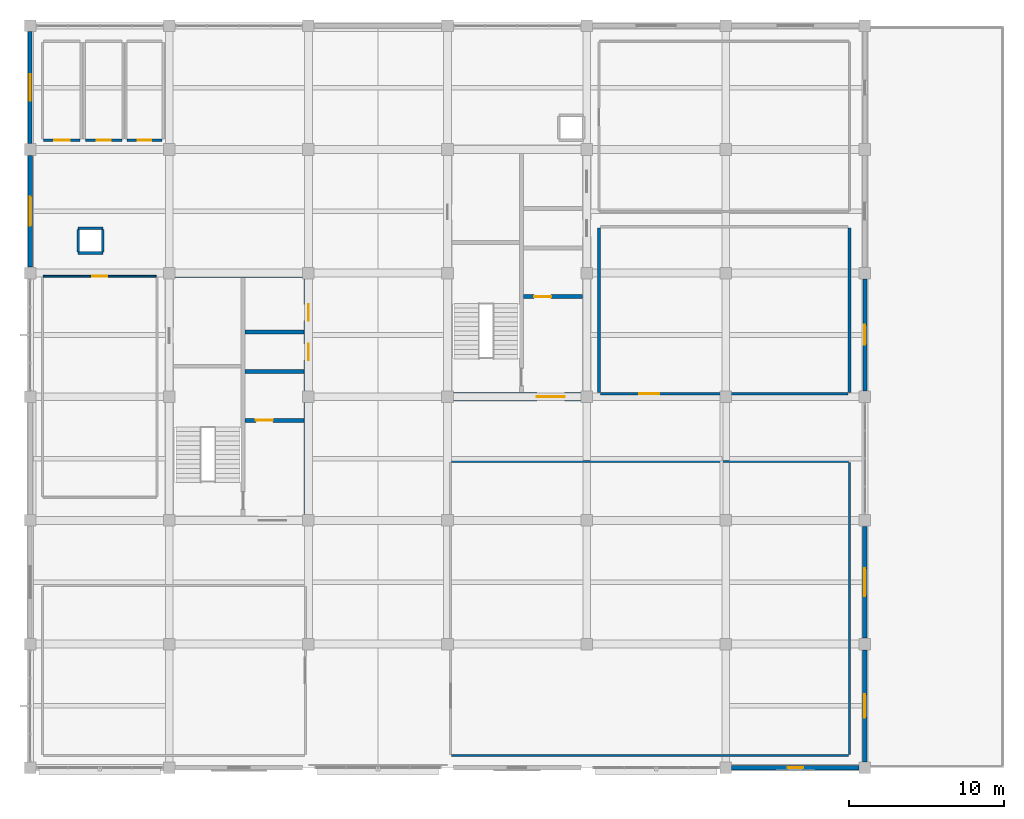
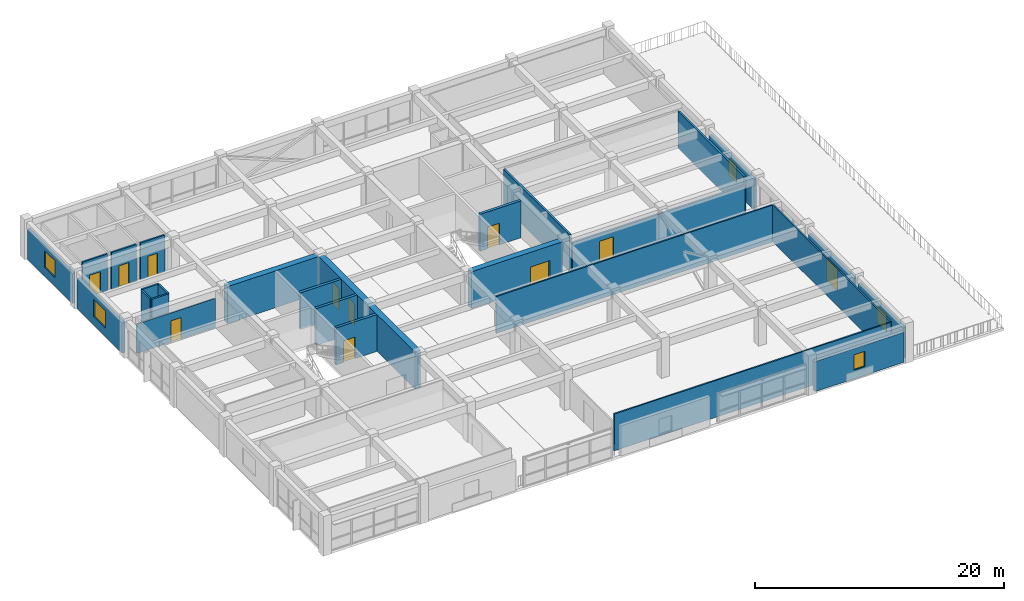
# One storey, part 12 of 15: 27 walls, 11 doors, 5 windows, 16 openings.
"""IFC4 building model written with IfcOpenShell, lengths in metres."""

from ifc_helpers import new_model, si_unit, direction, frame, frame_2d, origin, place, context, subcontext, project, spatial, rectangle, extrude, material, layer, layer_set, type_object, element, fill, save


model = new_model("IFC4")

# Units and contexts
model_context = context("Model", 3, precision=1e-05, world=origin(), true_north=direction((0.0, 1.0)))
body_context = subcontext(model_context, "Body", "Model", "MODEL_VIEW")
ifc_project = project(units=[si_unit("LENGTHUNIT", "METRE"), si_unit("AREAUNIT", "SQUARE_METRE"), si_unit("VOLUMEUNIT", "CUBIC_METRE"), si_unit("PLANEANGLEUNIT", "RADIAN"), si_unit("MASSUNIT", "GRAM", prefix="KILO")], contexts=[model_context])

# Site, building, storey
site_placement = place(None, origin())
site = spatial("IfcSite", under=ifc_project, at=site_placement, CompositionType="ELEMENT")
building_placement = place(site_placement, origin())
building = spatial("IfcBuilding", under=site, at=building_placement, Name="Zaverband Oceanarium and Marine Research Institute", CompositionType="ELEMENT")
storey_placement = place(building_placement, frame((0.0, 0.0, 45.300048828125)))
storey = spatial("IfcBuildingStorey", under=building, at=storey_placement, Name="L11", CompositionType="ELEMENT", Elevation=45.300048828125)

# Wall
ifc_material_1 = material(Name="Concrete C50/60", Category="concrete")
ifc_layer_1 = layer(ifc_material_1, 0.550048828125, Name="Concrete C50/60")
ifc_layer_set_1 = layer_set([ifc_layer_1], Name="Concrete C50/60")
wall_type_1 = type_object("IfcWallType", Name="CW-01", PredefinedType="SHEAR", material=ifc_layer_set_1)
wall_1_placement = place(storey_placement, frame((18.27490234375, 96.0, 0.0), z_axis=(0.0, 0.0, 1.0), x_axis=(1.0, 0.0, 0.0)))
element("IfcWall", 1, at=wall_1_placement, inside=storey, type_object=wall_type_1, Name="Structural shear wall CW-01", PredefinedType="SHEAR", context=body_context, shape_type="SweptSolid", body=[
    extrude(rectangle(XDim=8.4501953125, YDim=0.550048828125, at=frame_2d((4.22509765625, 0.0))), origin(), (0.0, 0.0, 1.0), 3.619873046875),
])

# Wall, openings, doors
wall_2_placement = place(storey_placement, frame((27.0, 80.27490234375, 0.0), z_axis=(0.0, 0.0, 1.0), x_axis=(0.0, 1.0, 0.0)))
wall_2 = element("IfcWall", 2, at=wall_2_placement, inside=storey, type_object=wall_type_1, Name="Structural shear wall CW-01", PredefinedType="SHEAR", context=body_context, shape_type="SweptSolid", body=[
    extrude(rectangle(XDim=15.4501953125, YDim=0.550048828125, at=frame_2d((7.72509765625, 0.0))), origin(), (0.0, 0.0, 1.0), 3.619873046875),
])
opening_1_placement = place(wall_2_placement, frame((10.10009765625, 0.0, 0.0)))
opening_1 = element("IfcOpeningElement", 3, at=opening_1_placement, cuts=wall_2, Name="Opening LD-02", PredefinedType="OPENING", context=body_context, shape_type="SweptSolid", body=[
    extrude(rectangle(XDim=1.050048828125, YDim=2.1201171875, at=frame_2d((0.52490234375, 1.06005859375))), frame((0.0, 0.287109375, 0.0), z_axis=(0.0, -1.0, 0.0), x_axis=(1.0, 0.0, 0.0)), (0.0, 0.0, 1.0), 0.573974609375),
])
opening_2_placement = place(wall_2_placement, frame((12.64990234375, 0.0, 0.0)))
opening_2 = element("IfcOpeningElement", 4, at=opening_2_placement, cuts=wall_2, Name="Opening LD-02", PredefinedType="OPENING", context=body_context, shape_type="SweptSolid", body=[
    extrude(rectangle(XDim=1.050048828125, YDim=2.1201171875, at=frame_2d((0.52490234375, 1.06005859375))), frame((0.0, 0.287109375, 0.0), z_axis=(0.0, -1.0, 0.0), x_axis=(1.0, 0.0, 0.0)), (0.0, 0.0, 1.0), 0.573974609375),
])
ifc_material_2 = material(Name="Steel S355", Category="steel")
door_type_1 = type_object("IfcDoorType", Name="LD-02", OperationType="DOUBLE_DOOR_SLIDING", PredefinedType="DOOR", material=ifc_material_2)
door_1_placement = place(opening_1_placement, origin())
door_1 = element("IfcDoor", 5, at=door_1_placement, inside=storey, type_object=door_type_1, Name="Passenger lift sliding landing door LD-02", OperationType="DOUBLE_DOOR_SLIDING", OverallHeight=2.1201171875, OverallWidth=1.050048828125, PredefinedType="DOOR", context=body_context, shape_type="SweptSolid", body=[
    extrude(rectangle(XDim=1.050048828125, YDim=2.1201171875, at=frame_2d((0.52490234375, 1.06005859375))), frame((0.0, 0.02490234375, 0.0), z_axis=(0.0, -1.0, 0.0), x_axis=(1.0, 0.0, 0.0)), (0.0, 0.0, 1.0), 0.050048828125),
])
fill(opening_1, door_1)
door_2_placement = place(opening_2_placement, origin())
door_2 = element("IfcDoor", 6, at=door_2_placement, inside=storey, type_object=door_type_1, Name="Passenger lift sliding landing door LD-02", OperationType="DOUBLE_DOOR_SLIDING", OverallHeight=2.1201171875, OverallWidth=1.050048828125, PredefinedType="DOOR", context=body_context, shape_type="SweptSolid", body=[
    extrude(rectangle(XDim=1.050048828125, YDim=2.1201171875, at=frame_2d((0.52490234375, 1.06005859375))), frame((0.0, 0.02490234375, 0.0), z_axis=(0.0, -1.0, 0.0), x_axis=(1.0, 0.0, 0.0)), (0.0, 0.0, 1.0), 0.050048828125),
])
fill(opening_2, door_2)

# Wall, opening, door
wall_3_placement = place(storey_placement, frame((36.27490234375, 88.0, 0.0), z_axis=(0.0, 0.0, 1.0), x_axis=(1.0, 0.0, 0.0)))
wall_3 = element("IfcWall", 7, at=wall_3_placement, inside=storey, type_object=wall_type_1, Name="Structural shear wall CW-01", PredefinedType="SHEAR", context=body_context, shape_type="SweptSolid", body=[
    extrude(rectangle(XDim=8.4501953125, YDim=0.550048828125, at=frame_2d((4.22509765625, 0.0))), origin(), (0.0, 0.0, 1.0), 3.619873046875),
])
opening_3_placement = place(wall_3_placement, frame((5.5, 0.0, 0.0)))
opening_3 = element("IfcOpeningElement", 8, at=opening_3_placement, cuts=wall_3, Name="Opening FD-02", PredefinedType="OPENING", context=body_context, shape_type="SweptSolid", body=[
    extrude(rectangle(XDim=1.800048828125, YDim=2.179931640625, at=frame_2d((0.89990234375, 1.08984375))), frame((0.0, 0.287109375, 0.0), z_axis=(0.0, -1.0, 0.0), x_axis=(1.0, 0.0, 0.0)), (0.0, 0.0, 1.0), 0.573974609375),
])
door_type_2 = type_object("IfcDoorType", Name="FD-02", OperationType="DOUBLE_DOOR_SINGLE_SWING", PredefinedType="DOOR", material=ifc_material_2)
door_3_placement = place(opening_3_placement, origin())
door_3 = element("IfcDoor", 9, at=door_3_placement, inside=storey, type_object=door_type_2, Name="Protected lobby double fire door FD-02", OperationType="DOUBLE_DOOR_SINGLE_SWING", OverallHeight=2.179931640625, OverallWidth=1.800048828125, PredefinedType="DOOR", context=body_context, shape_type="SweptSolid", body=[
    extrude(rectangle(XDim=1.800048828125, YDim=2.179931640625, at=frame_2d((0.89990234375, 1.08984375))), frame((0.0, 0.02490234375, 0.0), z_axis=(0.0, -1.0, 0.0), x_axis=(1.0, 0.0, 0.0)), (0.0, 0.0, 1.0), 0.050048828125),
])
fill(opening_3, door_3)

# Wall, opening, window
ifc_material_3 = material(Name="Concrete C40/50 precast", Category="concrete")
ifc_layer_2 = layer(ifc_material_3, 0.264892578125, Name="Concrete C40/50 precast")
ifc_layer_set_2 = layer_set([ifc_layer_2], Name="Concrete C40/50 precast")
wall_type_2 = type_object("IfcWallType", Name="EW-265", PredefinedType="STANDARD", material=ifc_layer_set_2)
wall_4_placement = place(storey_placement, frame((9.0, 104.3798828125, 0.0), z_axis=(0.0, 0.0, 1.0), x_axis=(0.0, 1.0, 0.0)))
wall_4 = element("IfcWall", 10, at=wall_4_placement, inside=storey, type_object=wall_type_2, Name="Exterior infill wall EW-265", PredefinedType="STANDARD", context=body_context, shape_type="SweptSolid", body=[
    extrude(rectangle(XDim=7.240234375, YDim=0.264892578125, at=frame_2d((3.6201171875, 0.0))), origin(), (0.0, 0.0, 1.0), 2.949951171875),
])
opening_4_placement = place(wall_4_placement, frame((2.77001953125, 0.0, 0.85009765625)))
opening_4 = element("IfcOpeningElement", 11, at=opening_4_placement, cuts=wall_4, Name="Opening WN-1700x1650", PredefinedType="OPENING", context=body_context, shape_type="SweptSolid", body=[
    extrude(rectangle(XDim=1.699951171875, YDim=1.64990234375, at=frame_2d((0.85009765625, 0.824951171875))), frame((0.0, 0.14453125, 0.0), z_axis=(0.0, -1.0, 0.0), x_axis=(1.0, 0.0, 0.0)), (0.0, 0.0, 1.0), 0.288818359375),
])
ifc_material_4 = material(Name="Thermally broken anodized aluminium and solar-control glass", Category="aluminium")
window_type_1 = type_object("IfcWindowType", Name="WN-1700x1650", PartitioningType="SINGLE_PANEL", PredefinedType="WINDOW", material=ifc_material_4)
window_1_placement = place(opening_4_placement, origin())
window_1 = element("IfcWindow", 12, at=window_1_placement, inside=storey, type_object=window_type_1, Name="Fixed / casement exterior window WN-1700x1650", OverallHeight=1.64990234375, OverallWidth=1.699951171875, PartitioningType="SINGLE_PANEL", PredefinedType="WINDOW", context=body_context, shape_type="SweptSolid", body=[
    extrude(rectangle(XDim=1.699951171875, YDim=1.64990234375, at=frame_2d((0.85009765625, 0.824951171875))), frame((0.0, 0.030029296875, 0.0), z_axis=(0.0, -1.0, 0.0), x_axis=(1.0, 0.0, 0.0)), (0.0, 0.0, 1.0), 0.06005859375),
])
fill(opening_4, window_1)

wall_5_placement = place(storey_placement, frame((63.0, 88.3798828125, 0.0), z_axis=(0.0, 0.0, 1.0), x_axis=(0.0, 1.0, 0.0)))
wall_5 = element("IfcWall", 13, at=wall_5_placement, inside=storey, type_object=wall_type_2, Name="Exterior infill wall EW-265", PredefinedType="STANDARD", context=body_context, shape_type="SweptSolid", body=[
    extrude(rectangle(XDim=7.240234375, YDim=0.264892578125, at=frame_2d((3.6201171875, 0.0))), origin(), (0.0, 0.0, 1.0), 2.949951171875),
])
opening_5_placement = place(wall_5_placement, frame((2.969970703125, 0.0, 0.85009765625)))
opening_5 = element("IfcOpeningElement", 14, at=opening_5_placement, cuts=wall_5, Name="Opening WN-1300x1650", PredefinedType="OPENING", context=body_context, shape_type="SweptSolid", body=[
    extrude(rectangle(XDim=1.300048828125, YDim=1.64990234375, at=frame_2d((0.64990234375, 0.824951171875))), frame((0.0, 0.14453125, 0.0), z_axis=(0.0, -1.0, 0.0), x_axis=(1.0, 0.0, 0.0)), (0.0, 0.0, 1.0), 0.288818359375),
])
window_type_2 = type_object("IfcWindowType", Name="WN-1300x1650", PartitioningType="SINGLE_PANEL", PredefinedType="WINDOW", material=ifc_material_4)
window_2_placement = place(opening_5_placement, origin())
window_2 = element("IfcWindow", 15, at=window_2_placement, inside=storey, type_object=window_type_2, Name="Fixed / casement exterior window WN-1300x1650", OverallHeight=1.64990234375, OverallWidth=1.300048828125, PartitioningType="SINGLE_PANEL", PredefinedType="WINDOW", context=body_context, shape_type="SweptSolid", body=[
    extrude(rectangle(XDim=1.300048828125, YDim=1.64990234375, at=frame_2d((0.64990234375, 0.824951171875))), frame((0.0, 0.030029296875, 0.0), z_axis=(0.0, -1.0, 0.0), x_axis=(1.0, 0.0, 0.0)), (0.0, 0.0, 1.0), 0.06005859375),
])
fill(opening_5, window_2)

ifc_layer_3 = layer(ifc_material_3, 0.2900390625, Name="Concrete C40/50 precast")
ifc_layer_set_3 = layer_set([ifc_layer_3], Name="Concrete C40/50 precast")
wall_type_3 = type_object("IfcWallType", Name="EW-290", PredefinedType="STANDARD", material=ifc_layer_set_3)
wall_6_placement = place(storey_placement, frame((54.3798828125, 64.0, 0.0), z_axis=(0.0, 0.0, 1.0), x_axis=(1.0, 0.0, 0.0)))
wall_6 = element("IfcWall", 16, at=wall_6_placement, inside=storey, type_object=wall_type_3, Name="Exterior infill wall EW-290", PredefinedType="STANDARD", context=body_context, shape_type="SweptSolid", body=[
    extrude(rectangle(XDim=8.240234375, YDim=0.2900390625, at=frame_2d((4.1201171875, 0.0))), origin(), (0.0, 0.0, 1.0), 2.949951171875),
])
opening_6_placement = place(wall_6_placement, frame((3.6201171875, 0.0, 0.85009765625)))
opening_6 = element("IfcOpeningElement", 17, at=opening_6_placement, cuts=wall_6, Name="Opening WN-1000x1500", PredefinedType="OPENING", context=body_context, shape_type="SweptSolid", body=[
    extrude(rectangle(XDim=1.0, YDim=1.5, at=frame_2d((0.5, 0.75))), frame((0.0, 0.156982421875, 0.0), z_axis=(0.0, -1.0, 0.0), x_axis=(1.0, 0.0, 0.0)), (0.0, 0.0, 1.0), 0.31396484375),
])
window_type_3 = type_object("IfcWindowType", Name="WN-1000x1500", PartitioningType="SINGLE_PANEL", PredefinedType="WINDOW", material=ifc_material_4)
window_3_placement = place(opening_6_placement, origin())
window_3 = element("IfcWindow", 18, at=window_3_placement, inside=storey, type_object=window_type_3, Name="Fixed / casement exterior window WN-1000x1500", OverallHeight=1.5, OverallWidth=1.0, PartitioningType="SINGLE_PANEL", PredefinedType="WINDOW", context=body_context, shape_type="SweptSolid", body=[
    extrude(rectangle(XDim=1.0, YDim=1.5, at=frame_2d((0.5, 0.75))), frame((0.0, 0.030029296875, 0.0), z_axis=(0.0, -1.0, 0.0), x_axis=(1.0, 0.0, 0.0)), (0.0, 0.0, 1.0), 0.06005859375),
])
fill(opening_6, window_3)

wall_7_placement = place(storey_placement, frame((9.0, 96.3798828125, 0.0), z_axis=(0.0, 0.0, 1.0), x_axis=(0.0, 1.0, 0.0)))
wall_7 = element("IfcWall", 19, at=wall_7_placement, inside=storey, type_object=wall_type_3, Name="Exterior infill wall EW-290", PredefinedType="STANDARD", context=body_context, shape_type="SweptSolid", body=[
    extrude(rectangle(XDim=7.240234375, YDim=0.2900390625, at=frame_2d((3.6201171875, 0.0))), origin(), (0.0, 0.0, 1.0), 2.949951171875),
])
opening_7_placement = place(wall_7_placement, frame((2.669921875, 0.0, 0.85009765625)))
opening_7 = element("IfcOpeningElement", 20, at=opening_7_placement, cuts=wall_7, Name="Opening WN-1900x1650", PredefinedType="OPENING", context=body_context, shape_type="SweptSolid", body=[
    extrude(rectangle(XDim=1.89990234375, YDim=1.64990234375, at=frame_2d((0.949951171875, 0.824951171875))), frame((0.0, 0.156982421875, 0.0), z_axis=(0.0, -1.0, 0.0), x_axis=(1.0, 0.0, 0.0)), (0.0, 0.0, 1.0), 0.31396484375),
])
window_type_4 = type_object("IfcWindowType", Name="WN-1900x1650", PartitioningType="SINGLE_PANEL", PredefinedType="WINDOW", material=ifc_material_4)
window_4_placement = place(opening_7_placement, origin())
window_4 = element("IfcWindow", 21, at=window_4_placement, inside=storey, type_object=window_type_4, Name="Fixed / casement exterior window WN-1900x1650", OverallHeight=1.64990234375, OverallWidth=1.89990234375, PartitioningType="SINGLE_PANEL", PredefinedType="WINDOW", context=body_context, shape_type="SweptSolid", body=[
    extrude(rectangle(XDim=1.89990234375, YDim=1.64990234375, at=frame_2d((0.949951171875, 0.824951171875))), frame((0.0, 0.030029296875, 0.0), z_axis=(0.0, -1.0, 0.0), x_axis=(1.0, 0.0, 0.0)), (0.0, 0.0, 1.0), 0.06005859375),
])
fill(opening_7, window_4)

wall_8_placement = place(storey_placement, frame((63.0, 64.3798828125, 0.0), z_axis=(0.0, 0.0, 1.0), x_axis=(0.0, 1.0, 0.0)))
wall_8 = element("IfcWall", 22, at=wall_8_placement, inside=storey, type_object=wall_type_3, Name="Exterior infill wall EW-290", PredefinedType="STANDARD", context=body_context, shape_type="SweptSolid", body=[
    extrude(rectangle(XDim=7.240234375, YDim=0.2900390625, at=frame_2d((3.6201171875, 0.0))), origin(), (0.0, 0.0, 1.0), 2.949951171875),
])
opening_8_placement = place(wall_8_placement, frame((2.8701171875, 0.0, 0.85009765625)))
opening_8 = element("IfcOpeningElement", 23, at=opening_8_placement, cuts=wall_8, Name="Opening WN-1500x1650", PredefinedType="OPENING", context=body_context, shape_type="SweptSolid", body=[
    extrude(rectangle(XDim=1.5, YDim=1.64990234375, at=frame_2d((0.75, 0.824951171875))), frame((0.0, 0.156982421875, 0.0), z_axis=(0.0, -1.0, 0.0), x_axis=(1.0, 0.0, 0.0)), (0.0, 0.0, 1.0), 0.31396484375),
])
window_type_5 = type_object("IfcWindowType", Name="WN-1500x1650", PartitioningType="SINGLE_PANEL", PredefinedType="WINDOW", material=ifc_material_4)
window_5_placement = place(opening_8_placement, origin())
window_5 = element("IfcWindow", 24, at=window_5_placement, inside=storey, type_object=window_type_5, Name="Fixed / casement exterior window WN-1500x1650", OverallHeight=1.64990234375, OverallWidth=1.5, PartitioningType="SINGLE_PANEL", PredefinedType="WINDOW", context=body_context, shape_type="SweptSolid", body=[
    extrude(rectangle(XDim=1.5, YDim=1.64990234375, at=frame_2d((0.75, 0.824951171875))), frame((0.0, 0.030029296875, 0.0), z_axis=(0.0, -1.0, 0.0), x_axis=(1.0, 0.0, 0.0)), (0.0, 0.0, 1.0), 0.06005859375),
])
fill(opening_8, window_5)

# Wall, opening, door
wall_9_placement = place(storey_placement, frame((63.0, 72.3798828125, 0.0), z_axis=(0.0, 0.0, 1.0), x_axis=(0.0, 1.0, 0.0)))
wall_9 = element("IfcWall", 25, at=wall_9_placement, inside=storey, type_object=wall_type_3, Name="Exterior infill wall EW-290", PredefinedType="STANDARD", context=body_context, shape_type="SweptSolid", body=[
    extrude(rectangle(XDim=7.240234375, YDim=0.2900390625, at=frame_2d((3.6201171875, 0.0))), origin(), (0.0, 0.0, 1.0), 2.949951171875),
])
opening_9_placement = place(wall_9_placement, frame((2.719970703125, 0.0, 0.0)))
opening_9 = element("IfcOpeningElement", 26, at=opening_9_placement, cuts=wall_9, Name="Opening TD-1800x2200", PredefinedType="OPENING", context=body_context, shape_type="SweptSolid", body=[
    extrude(rectangle(XDim=1.800048828125, YDim=2.199951171875, at=frame_2d((0.89990234375, 1.10009765625))), frame((0.0, 0.156982421875, 0.0), z_axis=(0.0, -1.0, 0.0), x_axis=(1.0, 0.0, 0.0)), (0.0, 0.0, 1.0), 0.31396484375),
])
ifc_material_5 = material(Name="Thermally broken anodized aluminium and laminated glass", Category="aluminium")
door_type_3 = type_object("IfcDoorType", Name="TD-1800x2200", OperationType="DOUBLE_DOOR_SINGLE_SWING", PredefinedType="DOOR", material=ifc_material_5)
door_4_placement = place(opening_9_placement, frame((1.800048828125, 0.0, 0.0), z_axis=(0.0, 0.0, 1.0), x_axis=(-1.0, 0.0, 0.0)))
door_4 = element("IfcDoor", 27, at=door_4_placement, inside=storey, type_object=door_type_3, Name="Glazed double terrace door TD-1800x2200", OperationType="DOUBLE_DOOR_SINGLE_SWING", OverallHeight=2.199951171875, OverallWidth=1.800048828125, PredefinedType="DOOR", context=body_context, shape_type="SweptSolid", body=[
    extrude(rectangle(XDim=1.800048828125, YDim=2.199951171875, at=frame_2d((0.89990234375, 1.10009765625))), frame((0.0, 0.02490234375, 0.0), z_axis=(0.0, -1.0, 0.0), x_axis=(1.0, 0.0, 0.0)), (0.0, 0.0, 1.0), 0.050048828125),
])
fill(opening_9, door_4)

ifc_material_6 = material(Name="Insulated metal-stud office partition")
ifc_layer_4 = layer(ifc_material_6, 0.1201171875, Name="Insulated metal-stud office partition")
ifc_layer_set_4 = layer_set([ifc_layer_4], Name="Insulated metal-stud office partition")
wall_type_4 = type_object("IfcWallType", Name="PT-120-OF", PredefinedType="PARTITIONING", material=ifc_layer_set_4)
wall_10_placement = place(storey_placement, frame((9.860107421875, 95.800048828125, 0.0), z_axis=(0.0, 0.0, 1.0), x_axis=(1.0, 0.0, 0.0)))
wall_10 = element("IfcWall", 28, at=wall_10_placement, inside=storey, type_object=wall_type_4, Name="Internal partition PT-120-OF", PredefinedType="PARTITIONING", context=body_context, shape_type="SweptSolid", body=[
    extrude(rectangle(XDim=7.27978515625, YDim=0.1201171875, at=frame_2d((3.639892578125, 0.0))), origin(), (0.0, 0.0, 1.0), 2.869873046875),
])
opening_10_placement = place(wall_10_placement, frame((3.159912109375, 0.0, 0.0)))
opening_10 = element("IfcOpeningElement", 29, at=opening_10_placement, cuts=wall_10, Name="Opening ID-960x2100", PredefinedType="OPENING", context=body_context, shape_type="SweptSolid", body=[
    extrude(rectangle(XDim=0.9599609375, YDim=2.10009765625, at=frame_2d((0.47998046875, 1.050048828125))), frame((0.0, 0.072021484375, 0.0), z_axis=(0.0, -1.0, 0.0), x_axis=(1.0, 0.0, 0.0)), (0.0, 0.0, 1.0), 0.14404296875),
])
ifc_material_7 = material(Name="Hardwood-veneered acoustic timber", Category="wood")
door_type_4 = type_object("IfcDoorType", Name="ID-960x2100", OperationType="NOTDEFINED", PredefinedType="DOOR", material=ifc_material_7)
door_5_placement = place(opening_10_placement, origin())
door_5 = element("IfcDoor", 30, at=door_5_placement, inside=storey, type_object=door_type_4, Name="Research write-up office door ID-960x2100", OperationType="SINGLE_SWING_LEFT", OverallHeight=2.10009765625, OverallWidth=0.9599609375, PredefinedType="DOOR", context=body_context, shape_type="SweptSolid", body=[
    extrude(rectangle(XDim=0.9599609375, YDim=2.10009765625, at=frame_2d((0.47998046875, 1.050048828125))), frame((0.0, 0.02490234375, 0.0), z_axis=(0.0, -1.0, 0.0), x_axis=(1.0, 0.0, 0.0)), (0.0, 0.0, 1.0), 0.050048828125),
])
fill(opening_10, door_5)

# Walls
ifc_material_8 = material(Name="Archive fire-lined partition")
ifc_layer_5 = layer(ifc_material_8, 0.1298828125, Name="Archive fire-lined partition")
ifc_layer_set_5 = layer_set([ifc_layer_5], Name="Archive fire-lined partition")
wall_type_5 = type_object("IfcWallType", Name="PT-130-AR", PredefinedType="PARTITIONING", material=ifc_layer_set_5)
for number, where, z_axis, x_axis, name in (
    (31, (36.264892578125, 64.800048828125, 0.0), (0.0, 0.0, 1.0), (1.0, 0.0, 0.0), "Internal partition PT-130-AR"),
    (32, (36.264892578125, 83.800048828125, 0.0), (0.0, 0.0, 1.0), (1.0, 0.0, 0.0), "Internal partition PT-130-AR"),
):
    element("IfcWall", number, at=place(storey_placement, frame(where, z_axis=z_axis, x_axis=x_axis)), inside=storey, type_object=wall_type_5, Name=name, PredefinedType="PARTITIONING", context=body_context, shape_type="SweptSolid", body=[
        extrude(rectangle(XDim=25.670166015625, YDim=0.1298828125, at=frame_2d((12.8349609375, 0.0))), origin(), (0.0, 0.0, 1.0), 3.619873046875),
    ])
wall_11_placement = place(storey_placement, frame((62.0, 64.864990234375, 0.0), z_axis=(0.0, 0.0, 1.0), x_axis=(0.0, 1.0, 0.0)))
element("IfcWall", 33, at=wall_11_placement, inside=storey, type_object=wall_type_5, Name="Internal partition PT-130-AR", PredefinedType="PARTITIONING", context=body_context, shape_type="SweptSolid", body=[
    extrude(rectangle(XDim=18.8701171875, YDim=0.1298828125, at=frame_2d((9.43505859375, 0.0))), origin(), (0.0, 0.0, 1.0), 3.619873046875),
])

# Wall, opening, door
ifc_material_9 = material(Name="Ceramic-tiled wet-room blockwork", Category="masonry")
ifc_layer_6 = layer(ifc_material_9, 0.14990234375, Name="Ceramic-tiled wet-room blockwork")
ifc_layer_set_6 = layer_set([ifc_layer_6], Name="Ceramic-tiled wet-room blockwork")
wall_type_6 = type_object("IfcWallType", Name="PT-150-WC", PredefinedType="PARTITIONING", material=ifc_layer_set_6)
wall_12_placement = place(storey_placement, frame((9.875, 104.60009765625, 0.0), z_axis=(0.0, 0.0, 1.0), x_axis=(1.0, 0.0, 0.0)))
wall_12 = element("IfcWall", 34, at=wall_12_placement, inside=storey, type_object=wall_type_6, Name="Internal partition PT-150-WC", PredefinedType="PARTITIONING", context=body_context, shape_type="SweptSolid", body=[
    extrude(rectangle(XDim=2.35009765625, YDim=0.14990234375, at=frame_2d((1.175048828125, 0.0))), origin(), (0.0, 0.0, 1.0), 3.619873046875),
])
opening_11_placement = place(wall_12_placement, frame((0.6650390625, 0.0, 0.0)))
opening_11 = element("IfcOpeningElement", 35, at=opening_11_placement, cuts=wall_12, Name="Opening ID-1020x2100", PredefinedType="OPENING", context=body_context, shape_type="SweptSolid", body=[
    extrude(rectangle(XDim=1.02001953125, YDim=2.10009765625, at=frame_2d((0.510009765625, 1.050048828125))), frame((0.0, 0.0869140625, 0.0), z_axis=(0.0, -1.0, 0.0), x_axis=(1.0, 0.0, 0.0)), (0.0, 0.0, 1.0), 0.173828125),
])
door_type_5 = type_object("IfcDoorType", Name="ID-1020x2100", OperationType="NOTDEFINED", PredefinedType="DOOR", material=ifc_material_7)
door_6_placement = place(opening_11_placement, frame((1.02001953125, 0.0, 0.0), z_axis=(0.0, 0.0, 1.0), x_axis=(-1.0, 0.0, 0.0)))
door_6 = element("IfcDoor", 36, at=door_6_placement, inside=storey, type_object=door_type_5, Name="Accessible WC outward-swing door ID-1020x2100", OperationType="SINGLE_SWING_LEFT", OverallHeight=2.10009765625, OverallWidth=1.02001953125, PredefinedType="DOOR", context=body_context, shape_type="SweptSolid", body=[
    extrude(rectangle(XDim=1.02001953125, YDim=2.10009765625, at=frame_2d((0.510009765625, 1.050048828125))), frame((0.0, 0.02490234375, 0.0), z_axis=(0.0, -1.0, 0.0), x_axis=(1.0, 0.0, 0.0)), (0.0, 0.0, 1.0), 0.050048828125),
])
fill(opening_11, door_6)

wall_13_placement = place(storey_placement, frame((12.574951171875, 104.60009765625, 0.0), z_axis=(0.0, 0.0, 1.0), x_axis=(1.0, 0.0, 0.0)))
wall_13 = element("IfcWall", 37, at=wall_13_placement, inside=storey, type_object=wall_type_6, Name="Internal partition PT-150-WC", PredefinedType="PARTITIONING", context=body_context, shape_type="SweptSolid", body=[
    extrude(rectangle(XDim=2.35009765625, YDim=0.14990234375, at=frame_2d((1.175048828125, 0.0))), origin(), (0.0, 0.0, 1.0), 3.619873046875),
])
opening_12_placement = place(wall_13_placement, frame((0.719970703125, 0.0, 0.0)))
opening_12 = element("IfcOpeningElement", 38, at=opening_12_placement, cuts=wall_13, Name="Opening ID-910x2080", PredefinedType="OPENING", context=body_context, shape_type="SweptSolid", body=[
    extrude(rectangle(XDim=0.909912109375, YDim=2.080078125, at=frame_2d((0.455078125, 1.0400390625))), frame((0.0, 0.0869140625, 0.0), z_axis=(0.0, -1.0, 0.0), x_axis=(1.0, 0.0, 0.0)), (0.0, 0.0, 1.0), 0.173828125),
])
door_type_6 = type_object("IfcDoorType", Name="ID-910x2080", OperationType="NOTDEFINED", PredefinedType="DOOR", material=ifc_material_7)
door_7_placement = place(opening_12_placement, origin())
door_7 = element("IfcDoor", 39, at=door_7_placement, inside=storey, type_object=door_type_6, Name="Sanitary washroom entrance door ID-910x2080", OperationType="SINGLE_SWING_RIGHT", OverallHeight=2.080078125, OverallWidth=0.909912109375, PredefinedType="DOOR", context=body_context, shape_type="SweptSolid", body=[
    extrude(rectangle(XDim=0.909912109375, YDim=2.080078125, at=frame_2d((0.455078125, 1.0400390625))), frame((0.0, 0.02490234375, 0.0), z_axis=(0.0, -1.0, 0.0), x_axis=(1.0, 0.0, 0.0)), (0.0, 0.0, 1.0), 0.050048828125),
])
fill(opening_12, door_7)

wall_14_placement = place(storey_placement, frame((15.27490234375, 104.60009765625, 0.0), z_axis=(0.0, 0.0, 1.0), x_axis=(1.0, 0.0, 0.0)))
wall_14 = element("IfcWall", 40, at=wall_14_placement, inside=storey, type_object=wall_type_6, Name="Internal partition PT-150-WC", PredefinedType="PARTITIONING", context=body_context, shape_type="SweptSolid", body=[
    extrude(rectangle(XDim=2.25, YDim=0.14990234375, at=frame_2d((1.125, 0.0))), origin(), (0.0, 0.0, 1.0), 3.619873046875),
])
opening_13_placement = place(wall_14_placement, frame((0.679931640625, 0.0, 0.0)))
opening_13 = element("IfcOpeningElement", 41, at=opening_13_placement, cuts=wall_14, Name="Opening ID-890x2060", PredefinedType="OPENING", context=body_context, shape_type="SweptSolid", body=[
    extrude(rectangle(XDim=0.889892578125, YDim=2.06005859375, at=frame_2d((0.44482421875, 1.030029296875))), frame((0.0, 0.0869140625, 0.0), z_axis=(0.0, -1.0, 0.0), x_axis=(1.0, 0.0, 0.0)), (0.0, 0.0, 1.0), 0.173828125),
])
door_type_7 = type_object("IfcDoorType", Name="ID-890x2060", OperationType="NOTDEFINED", PredefinedType="DOOR", material=ifc_material_7)
door_8_placement = place(opening_13_placement, origin())
door_8 = element("IfcDoor", 42, at=door_8_placement, inside=storey, type_object=door_type_7, Name="Staff WC door ID-890x2060", OperationType="SINGLE_SWING_LEFT", OverallHeight=2.06005859375, OverallWidth=0.889892578125, PredefinedType="DOOR", context=body_context, shape_type="SweptSolid", body=[
    extrude(rectangle(XDim=0.889892578125, YDim=2.06005859375, at=frame_2d((0.44482421875, 1.030029296875))), frame((0.0, 0.02490234375, 0.0), z_axis=(0.0, -1.0, 0.0), x_axis=(1.0, 0.0, 0.0)), (0.0, 0.0, 1.0), 0.050048828125),
])
fill(opening_13, door_8)

# Walls
ifc_material_10 = material(Name="Corridor rated drywall partition")
ifc_layer_7 = layer(ifc_material_10, 0.1650390625, Name="Corridor rated drywall partition")
ifc_layer_set_7 = layer_set([ifc_layer_7], Name="Corridor rated drywall partition")
wall_type_7 = type_object("IfcWallType", Name="PT-165-CR", PredefinedType="PARTITIONING", material=ifc_layer_set_7)
for number, where, z_axis, x_axis, name in (
    (43, (12.10009765625, 97.300048828125, 0.0), (0.0, 0.0, 1.0), (1.0, 0.0, 0.0), "Internal partition PT-165-CR"),
    (44, (12.10009765625, 98.89990234375, 0.0), (0.0, 0.0, 1.0), (1.0, 0.0, 0.0), "Internal partition PT-165-CR"),
):
    element("IfcWall", number, at=place(storey_placement, frame(where, z_axis=z_axis, x_axis=x_axis)), inside=storey, type_object=wall_type_7, Name=name, PredefinedType="PARTITIONING", context=body_context, shape_type="SweptSolid", body=[
        extrude(rectangle(XDim=1.599853515625, YDim=0.1650390625, at=frame_2d((0.7998046875, 0.0))), origin(), (0.0, 0.0, 1.0), 3.619873046875),
    ])
for number, where, z_axis, x_axis, name in (
    (45, (12.10009765625, 97.3798828125, 0.0), (0.0, 0.0, 1.0), (0.0, 1.0, 0.0), "Internal partition PT-165-CR"),
    (46, (13.699951171875, 97.3798828125, 0.0), (0.0, 0.0, 1.0), (0.0, 1.0, 0.0), "Internal partition PT-165-CR"),
):
    element("IfcWall", number, at=place(storey_placement, frame(where, z_axis=z_axis, x_axis=x_axis)), inside=storey, type_object=wall_type_7, Name=name, PredefinedType="PARTITIONING", context=body_context, shape_type="SweptSolid", body=[
        extrude(rectangle(XDim=1.440185546875, YDim=0.1650390625, at=frame_2d((0.72021484375, 0.0))), origin(), (0.0, 0.0, 1.0), 3.619873046875),
    ])

# Wall, opening, door
ifc_material_11 = material(Name="Moisture-resistant laboratory blockwork", Category="masonry")
ifc_layer_8 = layer(ifc_material_11, 0.179931640625, Name="Moisture-resistant laboratory blockwork")
ifc_layer_set_8 = layer_set([ifc_layer_8], Name="Moisture-resistant laboratory blockwork")
wall_type_8 = type_object("IfcWallType", Name="PT-180-LB", PredefinedType="PARTITIONING", material=ifc_layer_set_8)
wall_15_placement = place(storey_placement, frame((45.889892578125, 88.199951171875, 0.0), z_axis=(0.0, 0.0, 1.0), x_axis=(1.0, 0.0, 0.0)))
wall_15 = element("IfcWall", 47, at=wall_15_placement, inside=storey, type_object=wall_type_8, Name="Internal partition PT-180-LB", PredefinedType="PARTITIONING", context=body_context, shape_type="SweptSolid", body=[
    extrude(rectangle(XDim=16.02001953125, YDim=0.179931640625, at=frame_2d((8.010009765625, 0.0))), origin(), (0.0, 0.0, 1.0), 2.869873046875),
])
opening_14_placement = place(wall_15_placement, frame((2.5, 0.0, 0.0)))
opening_14 = element("IfcOpeningElement", 48, at=opening_14_placement, cuts=wall_15, Name="Opening ID-1300x2140", PredefinedType="OPENING", context=body_context, shape_type="SweptSolid", body=[
    extrude(rectangle(XDim=1.300048828125, YDim=2.139892578125, at=frame_2d((0.64990234375, 1.06982421875))), frame((0.0, 0.10205078125, 0.0), z_axis=(0.0, -1.0, 0.0), x_axis=(1.0, 0.0, 0.0)), (0.0, 0.0, 1.0), 0.203857421875),
])
door_type_8 = type_object("IfcDoorType", Name="ID-1300x2140", OperationType="NOTDEFINED", PredefinedType="DOOR", material=ifc_material_7)
door_9_placement = place(opening_14_placement, origin())
door_9 = element("IfcDoor", 49, at=door_9_placement, inside=storey, type_object=door_type_8, Name="Genomics laboratory door ID-1300x2140", OperationType="SINGLE_SWING_LEFT", OverallHeight=2.139892578125, OverallWidth=1.300048828125, PredefinedType="DOOR", context=body_context, shape_type="SweptSolid", body=[
    extrude(rectangle(XDim=1.300048828125, YDim=2.139892578125, at=frame_2d((0.64990234375, 1.06982421875))), frame((0.0, 0.02490234375, 0.0), z_axis=(0.0, -1.0, 0.0), x_axis=(1.0, 0.0, 0.0)), (0.0, 0.0, 1.0), 0.050048828125),
])
fill(opening_14, door_9)

# Walls
for number, where, z_axis, x_axis, name in (
    (50, (45.800048828125, 88.2900390625, 0.0), (0.0, 0.0, 1.0), (0.0, 1.0, 0.0), "Internal partition PT-180-LB"),
    (51, (62.0, 88.2900390625, 0.0), (0.0, 0.0, 1.0), (0.0, 1.0, 0.0), "Internal partition PT-180-LB"),
):
    element("IfcWall", number, at=place(storey_placement, frame(where, z_axis=z_axis, x_axis=x_axis)), inside=storey, type_object=wall_type_8, Name=name, PredefinedType="PARTITIONING", context=body_context, shape_type="SweptSolid", body=[
        extrude(rectangle(XDim=10.619873046875, YDim=0.179931640625, at=frame_2d((5.31005859375, 0.0))), origin(), (0.0, 0.0, 1.0), 3.619873046875),
    ])

# Wall, opening, door
ifc_layer_9 = layer(ifc_material_1, 0.25, Name="Concrete C50/60")
ifc_layer_set_9 = layer_set([ifc_layer_9], Name="Concrete C50/60")
wall_type_9 = type_object("IfcWallType", Name="PW-CORE-250", PredefinedType="SOLIDWALL", material=ifc_layer_set_9)
wall_16_placement = place(storey_placement, frame((22.905029296875, 86.47509765625, 0.0), z_axis=(0.0, 0.0, 1.0), x_axis=(1.0, 0.0, 0.0)))
wall_16 = element("IfcWall", 52, at=wall_16_placement, inside=storey, type_object=wall_type_9, Name="Structural concrete wall PW-CORE-250", PredefinedType="SOLIDWALL", context=body_context, shape_type="SweptSolid", body=[
    extrude(rectangle(XDim=3.820068359375, YDim=0.25, at=frame_2d((1.91015625, 0.0))), origin(), (0.0, 0.0, 1.0), 3.619873046875),
])
opening_15_placement = place(wall_16_placement, frame((0.695068359375, 0.0, 0.0)))
opening_15 = element("IfcOpeningElement", 53, at=opening_15_placement, cuts=wall_16, Name="Opening LD-01", PredefinedType="OPENING", context=body_context, shape_type="SweptSolid", body=[
    extrude(rectangle(XDim=1.10009765625, YDim=2.1201171875, at=frame_2d((0.550048828125, 1.06005859375))), frame((0.0, 0.136962890625, 0.0), z_axis=(0.0, -1.0, 0.0), x_axis=(1.0, 0.0, 0.0)), (0.0, 0.0, 1.0), 0.27392578125),
])
door_type_9 = type_object("IfcDoorType", Name="LD-01", OperationType="DOUBLE_DOOR_SLIDING", PredefinedType="DOOR", material=ifc_material_2)
door_10_placement = place(opening_15_placement, origin())
door_10 = element("IfcDoor", 54, at=door_10_placement, inside=storey, type_object=door_type_9, Name="Firefighting lift sliding landing door LD-01", OperationType="DOUBLE_DOOR_SLIDING", OverallHeight=2.1201171875, OverallWidth=1.10009765625, PredefinedType="DOOR", context=body_context, shape_type="SweptSolid", body=[
    extrude(rectangle(XDim=1.10009765625, YDim=2.1201171875, at=frame_2d((0.550048828125, 1.06005859375))), frame((0.0, 0.02490234375, 0.0), z_axis=(0.0, -1.0, 0.0), x_axis=(1.0, 0.0, 0.0)), (0.0, 0.0, 1.0), 0.050048828125),
])
fill(opening_15, door_10)

# Walls
for number, where, z_axis, x_axis, name in (
    (55, (22.905029296875, 89.6298828125, 0.0), (0.0, 0.0, 1.0), (1.0, 0.0, 0.0), "Structural concrete wall PW-CORE-250"),
    (56, (22.905029296875, 92.179931640625, 0.0), (0.0, 0.0, 1.0), (1.0, 0.0, 0.0), "Structural concrete wall PW-CORE-250"),
):
    element("IfcWall", number, at=place(storey_placement, frame(where, z_axis=z_axis, x_axis=x_axis)), inside=storey, type_object=wall_type_9, Name=name, PredefinedType="SOLIDWALL", context=body_context, shape_type="SweptSolid", body=[
        extrude(rectangle(XDim=3.820068359375, YDim=0.25, at=frame_2d((1.91015625, 0.0))), origin(), (0.0, 0.0, 1.0), 3.619873046875),
    ])

# Wall, opening, door
wall_17_placement = place(storey_placement, frame((40.905029296875, 94.47509765625, 0.0), z_axis=(0.0, 0.0, 1.0), x_axis=(1.0, 0.0, 0.0)))
wall_17 = element("IfcWall", 57, at=wall_17_placement, inside=storey, type_object=wall_type_9, Name="Structural concrete wall PW-CORE-250", PredefinedType="SOLIDWALL", context=body_context, shape_type="SweptSolid", body=[
    extrude(rectangle(XDim=3.820068359375, YDim=0.25, at=frame_2d((1.91015625, 0.0))), origin(), (0.0, 0.0, 1.0), 3.619873046875),
])
opening_16_placement = place(wall_17_placement, frame((0.695068359375, 0.0, 0.0)))
opening_16 = element("IfcOpeningElement", 58, at=opening_16_placement, cuts=wall_17, Name="Opening LD-01", PredefinedType="OPENING", context=body_context, shape_type="SweptSolid", body=[
    extrude(rectangle(XDim=1.10009765625, YDim=2.1201171875, at=frame_2d((0.550048828125, 1.06005859375))), frame((0.0, 0.136962890625, 0.0), z_axis=(0.0, -1.0, 0.0), x_axis=(1.0, 0.0, 0.0)), (0.0, 0.0, 1.0), 0.27392578125),
])
door_11_placement = place(opening_16_placement, origin())
door_11 = element("IfcDoor", 59, at=door_11_placement, inside=storey, type_object=door_type_9, Name="Firefighting lift sliding landing door LD-01", OperationType="DOUBLE_DOOR_SLIDING", OverallHeight=2.1201171875, OverallWidth=1.10009765625, PredefinedType="DOOR", context=body_context, shape_type="SweptSolid", body=[
    extrude(rectangle(XDim=1.10009765625, YDim=2.1201171875, at=frame_2d((0.550048828125, 1.06005859375))), frame((0.0, 0.02490234375, 0.0), z_axis=(0.0, -1.0, 0.0), x_axis=(1.0, 0.0, 0.0)), (0.0, 0.0, 1.0), 0.050048828125),
])
fill(opening_16, door_11)

save(model, "model.ifc")
